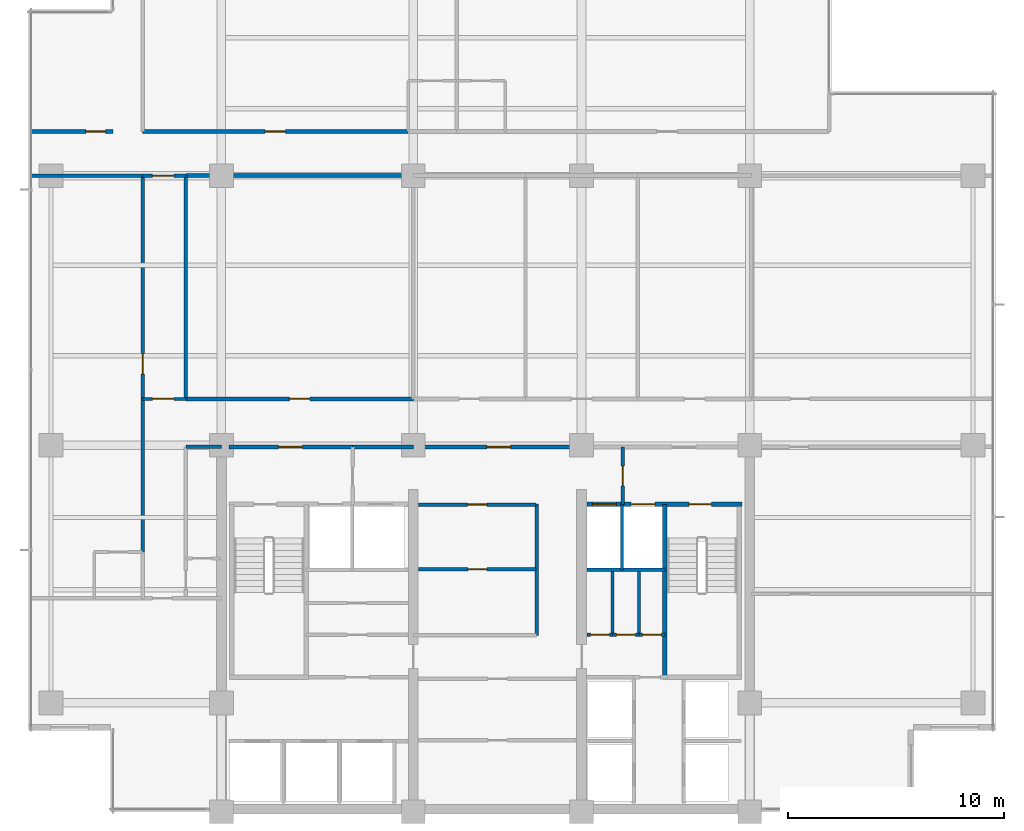
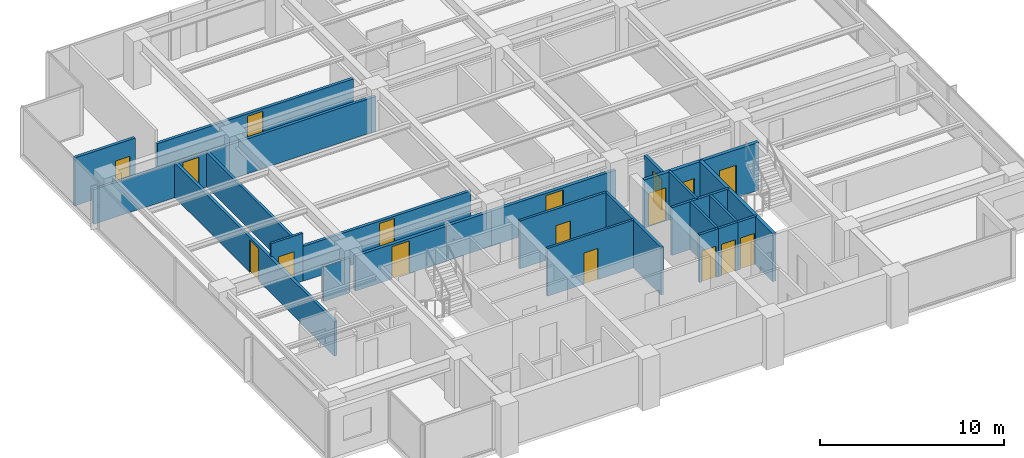
# One storey, part 8 of 14: 26 walls, 17 doors, 17 openings.
"""IFC4 building model written with IfcOpenShell, lengths in metres."""

from ifc_helpers import new_model, si_unit, direction, frame, frame_2d, origin, place, context, subcontext, project, spatial, rectangle, extrude, material, layer, layer_set, type_object, element, fill, save


model = new_model("IFC4")

# Units and contexts
model_context = context("Model", 3, precision=1e-05, world=origin(), true_north=direction((0.0, 1.0)))
body_context = subcontext(model_context, "Body", "Model", "MODEL_VIEW")
ifc_project = project(units=[si_unit("LENGTHUNIT", "METRE"), si_unit("AREAUNIT", "SQUARE_METRE"), si_unit("VOLUMEUNIT", "CUBIC_METRE"), si_unit("PLANEANGLEUNIT", "RADIAN"), si_unit("MASSUNIT", "GRAM", prefix="KILO")], contexts=[model_context])

# Site, building, storey
site_placement = place(None, origin())
site = spatial("IfcSite", under=ifc_project, at=site_placement, CompositionType="ELEMENT")
building_placement = place(site_placement, origin())
building = spatial("IfcBuilding", under=site, at=building_placement, Name="Qalmaran Belvedere Hotel", CompositionType="ELEMENT")
storey_placement = place(building_placement, frame((0.0, 0.0, 180.60009765625)))
storey = spatial("IfcBuildingStorey", under=building, at=storey_placement, Name="L46", CompositionType="ELEMENT", Elevation=180.60009765625)

# Walls
ifc_material_1 = material(Name="Gypsum Stud Partition")
ifc_layer_1 = layer(ifc_material_1, 0.14990234375, Name="Gypsum Stud Partition")
ifc_layer_set_1 = layer_set([ifc_layer_1], Name="Gypsum Stud Partition")
wall_type_1 = type_object("IfcWallType", Name="WL-INT-150-EI120", PredefinedType="PARTITIONING", material=ifc_layer_set_1)
wall_1_placement = place(storey_placement, frame((38.8798828125, 14.719970703125, 0.0), z_axis=(0.0, 0.0, 1.0), x_axis=(0.0, 1.0, 0.0)))
element("IfcWall", 1, at=wall_1_placement, inside=storey, type_object=wall_type_1, Name="L46 Partition WL-FF2M-L46", PredefinedType="PARTITIONING", context=body_context, shape_type="SweptSolid", body=[
    extrude(rectangle(XDim=3.0400390625, YDim=0.14990234375, at=frame_2d((1.52001953125, 0.0))), origin(), (0.0, 0.0, 1.0), 3.179931640625),
])
ifc_layer_2 = layer(ifc_material_1, 0.14990234375, Name="Gypsum Stud Partition")
ifc_layer_set_2 = layer_set([ifc_layer_2], Name="Gypsum Stud Partition")
wall_type_2 = type_object("IfcWallType", Name="WL-INT-150-EI60", PredefinedType="PARTITIONING", material=ifc_layer_set_2)
for number, where, z_axis, x_axis, name in (
    (2, (38.44140625, 11.719970703125, 0.0), (0.0, 0.0, 1.0), (0.0, 1.0, 0.0), "L46 Partition WL-L46-KEV1"),
    (3, (39.668701171875, 11.719970703125, 0.0), (0.0, 0.0, 1.0), (0.0, 1.0, 0.0), "L46 Partition WL-L46-KEV2"),
):
    element("IfcWall", number, at=place(storey_placement, frame(where, z_axis=z_axis, x_axis=x_axis)), inside=storey, type_object=wall_type_2, Name=name, PredefinedType="PARTITIONING", context=body_context, shape_type="SweptSolid", body=[
        extrude(rectangle(XDim=2.929931640625, YDim=0.14990234375, at=frame_2d((1.46484375, 0.0))), origin(), (0.0, 0.0, 1.0), 3.179931640625),
    ])

# Wall, opening, door
wall_2_placement = place(storey_placement, frame((29.449951171875, 14.7451171875, 0.0), z_axis=(0.0, 0.0, 1.0), x_axis=(1.0, 0.0, 0.0)))
wall_2 = element("IfcWall", 4, at=wall_2_placement, inside=storey, type_object=wall_type_2, Name="L46 Partition WL-L46-KPMHM", PredefinedType="PARTITIONING", context=body_context, shape_type="SweptSolid", body=[
    extrude(rectangle(XDim=5.429931640625, YDim=0.14990234375, at=frame_2d((2.71484375, 0.0))), origin(), (0.0, 0.0, 1.0), 3.179931640625),
])
opening_1_placement = place(wall_2_placement, frame((3.15478515625, 0.0, 0.0), z_axis=(0.0, 0.0, 1.0), x_axis=(-1.0, 0.0, 0.0)))
opening_1 = element("IfcOpeningElement", 5, at=opening_1_placement, cuts=wall_2, Name="Opening FD60B", PredefinedType="OPENING", context=body_context, shape_type="SweptSolid", body=[
    extrude(rectangle(XDim=0.8798828125, YDim=2.080078125, at=frame_2d((0.43994140625, 1.0400390625))), frame((0.0, 0.0849609375, 0.0), z_axis=(0.0, -1.0, 0.0), x_axis=(1.0, 0.0, 0.0)), (0.0, 0.0, 1.0), 0.169921875),
])
ifc_material_2 = material(Name="Steel S355JR", Category="steel")
door_type_1 = type_object("IfcDoorType", Name="DR-FD60B-880X2080", OperationType="NOTDEFINED", PredefinedType="DOOR", material=ifc_material_2)
door_1_placement = place(opening_1_placement, origin())
door_1 = element("IfcDoor", 6, at=door_1_placement, inside=storey, type_object=door_type_1, Name="L46 Executive Butler Pantry Door", OperationType="SINGLE_SWING_RIGHT", OverallHeight=2.080078125, OverallWidth=0.8798828125, PredefinedType="DOOR", context=body_context, shape_type="SweptSolid", body=[
    extrude(rectangle(XDim=0.8798828125, YDim=2.080078125, at=frame_2d((0.43994140625, 1.0400390625))), frame((0.0, 0.02490234375, 0.0), z_axis=(0.0, -1.0, 0.0), x_axis=(1.0, 0.0, 0.0)), (0.0, 0.0, 1.0), 0.050048828125),
])
fill(opening_1, door_1)

wall_3_placement = place(storey_placement, frame((16.64990234375, 22.64990234375, 0.0), z_axis=(0.0, 0.0, 1.0), x_axis=(1.0, 0.0, 0.0)))
wall_3 = element("IfcWall", 7, at=wall_3_placement, inside=storey, type_object=wall_type_2, Name="L46 Partition WL-L46-XCW1", PredefinedType="PARTITIONING", context=body_context, shape_type="SweptSolid", body=[
    extrude(rectangle(XDim=2.0, YDim=0.14990234375, at=frame_2d((1.0, 0.0))), origin(), (0.0, 0.0, 1.0), 3.179931640625),
])
opening_2_placement = place(wall_3_placement, frame((0.449951171875, 0.0, 0.0)))
opening_2 = element("IfcOpeningElement", 8, at=opening_2_placement, cuts=wall_3, Name="Opening FD90B", PredefinedType="OPENING", context=body_context, shape_type="SweptSolid", body=[
    extrude(rectangle(XDim=1.0, YDim=2.14990234375, at=frame_2d((0.5, 1.074951171875))), frame((0.0, 0.0849609375, 0.0), z_axis=(0.0, -1.0, 0.0), x_axis=(1.0, 0.0, 0.0)), (0.0, 0.0, 1.0), 0.169921875),
])
door_type_2 = type_object("IfcDoorType", Name="DR-FD90B-1000X2150", OperationType="NOTDEFINED", PredefinedType="DOOR", material=ifc_material_2)
door_2_placement = place(opening_2_placement, origin())
door_2 = element("IfcDoor", 9, at=door_2_placement, inside=storey, type_object=door_type_2, Name="L46 West Corridor Smoke Door S", OperationType="SINGLE_SWING_RIGHT", OverallHeight=2.14990234375, OverallWidth=1.0, PredefinedType="DOOR", context=body_context, shape_type="SweptSolid", body=[
    extrude(rectangle(XDim=1.0, YDim=2.14990234375, at=frame_2d((0.5, 1.074951171875))), frame((0.0, 0.02490234375, 0.0), z_axis=(0.0, -1.0, 0.0), x_axis=(1.0, 0.0, 0.0)), (0.0, 0.0, 1.0), 0.050048828125),
])
fill(opening_2, door_2)

wall_4_placement = place(storey_placement, frame((16.64990234375, 33.0, 0.0), z_axis=(0.0, 0.0, 1.0), x_axis=(1.0, 0.0, 0.0)))
wall_4 = element("IfcWall", 10, at=wall_4_placement, inside=storey, type_object=wall_type_2, Name="L46 Partition WL-L46-XCW2", PredefinedType="PARTITIONING", context=body_context, shape_type="SweptSolid", body=[
    extrude(rectangle(XDim=2.0, YDim=0.14990234375, at=frame_2d((1.0, 0.0))), origin(), (0.0, 0.0, 1.0), 2.309814453125),
])
opening_3_placement = place(wall_4_placement, frame((0.449951171875, 0.0, 0.0)))
opening_3 = element("IfcOpeningElement", 11, at=opening_3_placement, cuts=wall_4, Name="Opening FD90B", PredefinedType="OPENING", context=body_context, shape_type="SweptSolid", body=[
    extrude(rectangle(XDim=1.0, YDim=2.14990234375, at=frame_2d((0.5, 1.074951171875))), frame((0.0, 0.0849609375, 0.0), z_axis=(0.0, -1.0, 0.0), x_axis=(1.0, 0.0, 0.0)), (0.0, 0.0, 1.0), 0.169921875),
])
door_3_placement = place(opening_3_placement, origin())
door_3 = element("IfcDoor", 12, at=door_3_placement, inside=storey, type_object=door_type_2, Name="L46 West Corridor Smoke Door N", OperationType="SINGLE_SWING_LEFT", OverallHeight=2.14990234375, OverallWidth=1.0, PredefinedType="DOOR", context=body_context, shape_type="SweptSolid", body=[
    extrude(rectangle(XDim=1.0, YDim=2.14990234375, at=frame_2d((0.5, 1.074951171875))), frame((0.0, 0.02490234375, 0.0), z_axis=(0.0, -1.0, 0.0), x_axis=(1.0, 0.0, 0.0)), (0.0, 0.0, 1.0), 0.050048828125),
])
fill(opening_3, door_3)

ifc_layer_3 = layer(ifc_material_1, 0.159912109375, Name="Gypsum Stud Partition")
ifc_layer_set_3 = layer_set([ifc_layer_3], Name="Gypsum Stud Partition")
wall_type_3 = type_object("IfcWallType", Name="WL-INT-160-EI120", PredefinedType="PARTITIONING", material=ifc_layer_set_3)
wall_5_placement = place(storey_placement, frame((38.919921875, 17.760009765625, 0.0), z_axis=(0.0, 0.0, 1.0), x_axis=(0.0, 1.0, 0.0)))
wall_5 = element("IfcWall", 13, at=wall_5_placement, inside=storey, type_object=wall_type_3, Name="L46 Partition WL-FFSV2-L46", PredefinedType="PARTITIONING", context=body_context, shape_type="SweptSolid", body=[
    extrude(rectangle(XDim=2.659912109375, YDim=0.159912109375, at=frame_2d((1.330078125, 0.0))), origin(), (0.0, 0.0, 1.0), 2.621826171875),
])
opening_4_placement = place(wall_5_placement, frame((1.77001953125, 0.0, 0.0), z_axis=(0.0, 0.0, 1.0), x_axis=(-1.0, 0.0, 0.0)))
opening_4 = element("IfcOpeningElement", 14, at=opening_4_placement, cuts=wall_5, Name="Opening FD60S1", PredefinedType="OPENING", context=body_context, shape_type="SweptSolid", body=[
    extrude(rectangle(XDim=0.919921875, YDim=2.080078125, at=frame_2d((0.4599609375, 1.0400390625))), frame((0.0, 0.08984375, 0.0), z_axis=(0.0, -1.0, 0.0), x_axis=(1.0, 0.0, 0.0)), (0.0, 0.0, 1.0), 0.179931640625),
])
ifc_material_3 = material(Name="Engineered Oak Veneer")
door_type_3 = type_object("IfcDoorType", Name="DR-FD60S-920X2080", OperationType="NOTDEFINED", PredefinedType="DOOR", material=ifc_material_3)
door_4_placement = place(opening_4_placement, origin())
door_4 = element("IfcDoor", 15, at=door_4_placement, inside=storey, type_object=door_type_3, Name="L46 Service Lobby East Door", OperationType="SINGLE_SWING_RIGHT", OverallHeight=2.080078125, OverallWidth=0.919921875, PredefinedType="DOOR", context=body_context, shape_type="SweptSolid", body=[
    extrude(rectangle(XDim=0.919921875, YDim=2.080078125, at=frame_2d((0.4599609375, 1.0400390625))), frame((0.0, 0.02490234375, 0.0), z_axis=(0.0, -1.0, 0.0), x_axis=(1.0, 0.0, 0.0)), (0.0, 0.0, 1.0), 0.050048828125),
])
fill(opening_4, door_4)

# Wall
wall_6_placement = place(storey_placement, frame((37.25, 14.719970703125, 0.0), z_axis=(0.0, 0.0, 1.0), x_axis=(1.0, 0.0, 0.0)))
element("IfcWall", 16, at=wall_6_placement, inside=storey, type_object=wall_type_3, Name="L46 Partition WL-FF2S-L46", PredefinedType="PARTITIONING", context=body_context, shape_type="SweptSolid", body=[
    extrude(rectangle(XDim=3.610107421875, YDim=0.159912109375, at=frame_2d((1.80517578125, 0.0))), origin(), (0.0, 0.0, 1.0), 3.179931640625),
])

# Wall, opening, door
ifc_layer_4 = layer(ifc_material_1, 0.159912109375, Name="Gypsum Stud Partition")
ifc_layer_set_4 = layer_set([ifc_layer_4], Name="Gypsum Stud Partition")
wall_type_4 = type_object("IfcWallType", Name="WL-INT-160-EI60", PredefinedType="PARTITIONING", material=ifc_layer_set_4)
wall_7_placement = place(storey_placement, frame((37.25, 11.719970703125, 0.0), z_axis=(0.0, 0.0, 1.0), x_axis=(1.0, 0.0, 0.0)))
wall_7 = element("IfcWall", 17, at=wall_7_placement, inside=storey, type_object=wall_type_4, Name="L46 Partition WL-L46-KEE1", PredefinedType="PARTITIONING", context=body_context, shape_type="SweptSolid", body=[
    extrude(rectangle(XDim=1.19140625, YDim=0.159912109375, at=frame_2d((0.595703125, 0.0))), origin(), (0.0, 0.0, 1.0), 3.179931640625),
])
opening_5_placement = place(wall_7_placement, frame((0.155517578125, 0.0, 0.0)))
opening_5 = element("IfcOpeningElement", 18, at=opening_5_placement, cuts=wall_7, Name="Opening FD60B", PredefinedType="OPENING", context=body_context, shape_type="SweptSolid", body=[
    extrude(rectangle(XDim=0.8798828125, YDim=2.080078125, at=frame_2d((0.43994140625, 1.0400390625))), frame((0.0, 0.08984375, 0.0), z_axis=(0.0, -1.0, 0.0), x_axis=(1.0, 0.0, 0.0)), (0.0, 0.0, 1.0), 0.179931640625),
])
door_5_placement = place(opening_5_placement, origin())
door_5 = element("IfcDoor", 19, at=door_5_placement, inside=storey, type_object=door_type_1, Name="L46 Hotel Linen Closet Door", OperationType="SINGLE_SWING_RIGHT", OverallHeight=2.080078125, OverallWidth=0.8798828125, PredefinedType="DOOR", context=body_context, shape_type="SweptSolid", body=[
    extrude(rectangle(XDim=0.8798828125, YDim=2.080078125, at=frame_2d((0.43994140625, 1.0400390625))), frame((0.0, 0.02490234375, 0.0), z_axis=(0.0, -1.0, 0.0), x_axis=(1.0, 0.0, 0.0)), (0.0, 0.0, 1.0), 0.050048828125),
])
fill(opening_5, door_5)

wall_8_placement = place(storey_placement, frame((38.44140625, 11.719970703125, 0.0), z_axis=(0.0, 0.0, 1.0), x_axis=(1.0, 0.0, 0.0)))
wall_8 = element("IfcWall", 20, at=wall_8_placement, inside=storey, type_object=wall_type_4, Name="L46 Partition WL-L46-KEE2", PredefinedType="PARTITIONING", context=body_context, shape_type="SweptSolid", body=[
    extrude(rectangle(XDim=1.227294921875, YDim=0.159912109375, at=frame_2d((0.61376953125, 0.0))), origin(), (0.0, 0.0, 1.0), 3.179931640625),
])
opening_6_placement = place(wall_8_placement, frame((0.173583984375, 0.0, 0.0)))
opening_6 = element("IfcOpeningElement", 21, at=opening_6_placement, cuts=wall_8, Name="Opening FD60B", PredefinedType="OPENING", context=body_context, shape_type="SweptSolid", body=[
    extrude(rectangle(XDim=0.8798828125, YDim=2.080078125, at=frame_2d((0.43994140625, 1.0400390625))), frame((0.0, 0.08984375, 0.0), z_axis=(0.0, -1.0, 0.0), x_axis=(1.0, 0.0, 0.0)), (0.0, 0.0, 1.0), 0.179931640625),
])
door_6_placement = place(opening_6_placement, origin())
door_6 = element("IfcDoor", 22, at=door_6_placement, inside=storey, type_object=door_type_1, Name="L46 Guest Ice and Beverage Pantry Door", OperationType="SINGLE_SWING_LEFT", OverallHeight=2.080078125, OverallWidth=0.8798828125, PredefinedType="DOOR", context=body_context, shape_type="SweptSolid", body=[
    extrude(rectangle(XDim=0.8798828125, YDim=2.080078125, at=frame_2d((0.43994140625, 1.0400390625))), frame((0.0, 0.02490234375, 0.0), z_axis=(0.0, -1.0, 0.0), x_axis=(1.0, 0.0, 0.0)), (0.0, 0.0, 1.0), 0.050048828125),
])
fill(opening_6, door_6)

wall_9_placement = place(storey_placement, frame((39.668701171875, 11.719970703125, 0.0), z_axis=(0.0, 0.0, 1.0), x_axis=(1.0, 0.0, 0.0)))
wall_9 = element("IfcWall", 23, at=wall_9_placement, inside=storey, type_object=wall_type_4, Name="L46 Partition WL-L46-KEE3", PredefinedType="PARTITIONING", context=body_context, shape_type="SweptSolid", body=[
    extrude(rectangle(XDim=1.19140625, YDim=0.159912109375, at=frame_2d((0.595703125, 0.0))), origin(), (0.0, 0.0, 1.0), 3.179931640625),
])
opening_7_placement = place(wall_9_placement, frame((0.155517578125, 0.0, 0.0)))
opening_7 = element("IfcOpeningElement", 24, at=opening_7_placement, cuts=wall_9, Name="Opening FD60B", PredefinedType="OPENING", context=body_context, shape_type="SweptSolid", body=[
    extrude(rectangle(XDim=0.8798828125, YDim=2.080078125, at=frame_2d((0.43994140625, 1.0400390625))), frame((0.0, 0.08984375, 0.0), z_axis=(0.0, -1.0, 0.0), x_axis=(1.0, 0.0, 0.0)), (0.0, 0.0, 1.0), 0.179931640625),
])
door_7_placement = place(opening_7_placement, origin())
door_7 = element("IfcDoor", 25, at=door_7_placement, inside=storey, type_object=door_type_1, Name="L46 Cleaner Equipment Store Door", OperationType="SINGLE_SWING_RIGHT", OverallHeight=2.080078125, OverallWidth=0.8798828125, PredefinedType="DOOR", context=body_context, shape_type="SweptSolid", body=[
    extrude(rectangle(XDim=0.8798828125, YDim=2.080078125, at=frame_2d((0.43994140625, 1.0400390625))), frame((0.0, 0.02490234375, 0.0), z_axis=(0.0, -1.0, 0.0), x_axis=(1.0, 0.0, 0.0)), (0.0, 0.0, 1.0), 0.050048828125),
])
fill(opening_7, door_7)

# Wall
wall_10_placement = place(storey_placement, frame((34.919921875, 11.679931640625, 0.0), z_axis=(0.0, 0.0, 1.0), x_axis=(0.0, 1.0, 0.0)))
element("IfcWall", 26, at=wall_10_placement, inside=storey, type_object=wall_type_4, Name="L46 Partition WL-CLLV-L46", PredefinedType="PARTITIONING", context=body_context, shape_type="SweptSolid", body=[
    extrude(rectangle(XDim=6.10009765625, YDim=0.159912109375, at=frame_2d((3.050048828125, 0.0))), origin(), (0.0, 0.0, 1.0), 3.179931640625),
])

# Wall, opening, door
wall_11_placement = place(storey_placement, frame((29.449951171875, 17.75, 0.0), z_axis=(0.0, 0.0, 1.0), x_axis=(1.0, 0.0, 0.0)))
wall_11 = element("IfcWall", 27, at=wall_11_placement, inside=storey, type_object=wall_type_4, Name="L46 Partition WL-L46-KPME1", PredefinedType="PARTITIONING", context=body_context, shape_type="SweptSolid", body=[
    extrude(rectangle(XDim=5.429931640625, YDim=0.159912109375, at=frame_2d((2.71484375, 0.0))), origin(), (0.0, 0.0, 1.0), 3.179931640625),
])
opening_8_placement = place(wall_11_placement, frame((3.1748046875, 0.0, 0.0), z_axis=(0.0, 0.0, 1.0), x_axis=(-1.0, 0.0, 0.0)))
opening_8 = element("IfcOpeningElement", 28, at=opening_8_placement, cuts=wall_11, Name="Opening FD60S1", PredefinedType="OPENING", context=body_context, shape_type="SweptSolid", body=[
    extrude(rectangle(XDim=0.919921875, YDim=2.080078125, at=frame_2d((0.4599609375, 1.0400390625))), frame((0.0, 0.08984375, 0.0), z_axis=(0.0, -1.0, 0.0), x_axis=(1.0, 0.0, 0.0)), (0.0, 0.0, 1.0), 0.179931640625),
])
door_8_placement = place(opening_8_placement, origin())
door_8 = element("IfcDoor", 29, at=door_8_placement, inside=storey, type_object=door_type_3, Name="L46 Core Tableware Store Door", OperationType="SINGLE_SWING_LEFT", OverallHeight=2.080078125, OverallWidth=0.919921875, PredefinedType="DOOR", context=body_context, shape_type="SweptSolid", body=[
    extrude(rectangle(XDim=0.919921875, YDim=2.080078125, at=frame_2d((0.4599609375, 1.0400390625))), frame((0.0, 0.02490234375, 0.0), z_axis=(0.0, -1.0, 0.0), x_axis=(1.0, 0.0, 0.0)), (0.0, 0.0, 1.0), 0.050048828125),
])
fill(opening_8, door_8)

# Walls
wall_12_placement = place(storey_placement, frame((18.64990234375, 20.419921875, 0.0), z_axis=(0.0, 0.0, 1.0), x_axis=(1.0, 0.0, 0.0)))
element("IfcWall", 30, at=wall_12_placement, inside=storey, type_object=wall_type_4, Name="L46 Partition WL-L46-WCLN", PredefinedType="PARTITIONING", context=body_context, shape_type="SweptSolid", body=[
    extrude(rectangle(XDim=1.650146484375, YDim=0.159912109375, at=frame_2d((0.8251953125, 0.0))), origin(), (0.0, 0.0, 1.0), 2.309814453125),
])
wall_13_placement = place(storey_placement, frame((18.64990234375, 22.64990234375, 0.0), z_axis=(0.0, 0.0, 1.0), x_axis=(0.0, 1.0, 0.0)))
element("IfcWall", 31, at=wall_13_placement, inside=storey, type_object=wall_type_4, Name="L46 Partition WL-L46-MIDVL", PredefinedType="PARTITIONING", context=body_context, shape_type="SweptSolid", body=[
    extrude(rectangle(XDim=10.35009765625, YDim=0.159912109375, at=frame_2d((5.175048828125, 0.0))), origin(), (0.0, 0.0, 1.0), 2.309814453125),
])
wall_14_placement = place(storey_placement, frame((11.469970703125, 33.0, 0.0), z_axis=(0.0, 0.0, 1.0), x_axis=(1.0, 0.0, 0.0)))
element("IfcWall", 32, at=wall_14_placement, inside=storey, type_object=wall_type_4, Name="L46 Partition WL-L46-WU00", PredefinedType="PARTITIONING", context=body_context, shape_type="SweptSolid", body=[
    extrude(rectangle(XDim=5.179931640625, YDim=0.159912109375, at=frame_2d((2.58984375, 0.0))), origin(), (0.0, 0.0, 1.0), 2.309814453125),
])

# Wall, opening, door
ifc_layer_5 = layer(ifc_material_1, 0.179931640625, Name="Gypsum Stud Partition")
ifc_layer_set_5 = layer_set([ifc_layer_5], Name="Gypsum Stud Partition")
wall_type_5 = type_object("IfcWallType", Name="WL-INT-180-EI60", PredefinedType="PARTITIONING", material=ifc_layer_set_5)
wall_15_placement = place(storey_placement, frame((18.64990234375, 22.64990234375, 0.0), z_axis=(0.0, 0.0, 1.0), x_axis=(1.0, 0.0, 0.0)))
wall_15 = element("IfcWall", 33, at=wall_15_placement, inside=storey, type_object=wall_type_5, Name="L46 Partition WL-L46-MIDD1", PredefinedType="PARTITIONING", context=body_context, shape_type="SweptSolid", body=[
    extrude(rectangle(XDim=10.550048828125, YDim=0.179931640625, at=frame_2d((5.27490234375, 0.0))), origin(), (0.0, 0.0, 1.0), 2.309814453125),
])
opening_9_placement = place(wall_15_placement, frame((4.800048828125, 0.0, 0.0)))
opening_9 = element("IfcOpeningElement", 34, at=opening_9_placement, cuts=wall_15, Name="Opening FD60", PredefinedType="OPENING", context=body_context, shape_type="SweptSolid", body=[
    extrude(rectangle(XDim=0.949951171875, YDim=2.14990234375, at=frame_2d((0.47509765625, 1.074951171875))), frame((0.0, 0.10009765625, 0.0), z_axis=(0.0, -1.0, 0.0), x_axis=(1.0, 0.0, 0.0)), (0.0, 0.0, 1.0), 0.199951171875),
])
door_type_4 = type_object("IfcDoorType", Name="DR-FD60-950X2150", OperationType="NOTDEFINED", PredefinedType="DOOR", material=ifc_material_3)
door_9_placement = place(opening_9_placement, origin())
door_9 = element("IfcDoor", 35, at=door_9_placement, inside=storey, type_object=door_type_4, Name="L46 Housekeeping and Linen Room Door", OperationType="SINGLE_SWING_RIGHT", OverallHeight=2.14990234375, OverallWidth=0.949951171875, PredefinedType="DOOR", context=body_context, shape_type="SweptSolid", body=[
    extrude(rectangle(XDim=0.949951171875, YDim=2.14990234375, at=frame_2d((0.47509765625, 1.074951171875))), frame((0.0, 0.02490234375, 0.0), z_axis=(0.0, -1.0, 0.0), x_axis=(1.0, 0.0, 0.0)), (0.0, 0.0, 1.0), 0.050048828125),
])
fill(opening_9, door_9)

# Wall
wall_16_placement = place(storey_placement, frame((18.64990234375, 33.0, 0.0), z_axis=(0.0, 0.0, 1.0), x_axis=(1.0, 0.0, 0.0)))
element("IfcWall", 36, at=wall_16_placement, inside=storey, type_object=wall_type_5, Name="L46 Partition WL-L46-MIDO1", PredefinedType="PARTITIONING", context=body_context, shape_type="SweptSolid", body=[
    extrude(rectangle(XDim=10.550048828125, YDim=0.179931640625, at=frame_2d((5.27490234375, 0.0))), origin(), (0.0, 0.0, 1.0), 2.309814453125),
])

# Wall, opening, door
wall_17_placement = place(storey_placement, frame((16.64990234375, 35.050048828125, 0.0), z_axis=(0.0, 0.0, 1.0), x_axis=(1.0, 0.0, 0.0)))
wall_17 = element("IfcWall", 37, at=wall_17_placement, inside=storey, type_object=wall_type_5, Name="L46 Partition WL-L46-NEC00", PredefinedType="PARTITIONING", context=body_context, shape_type="SweptSolid", body=[
    extrude(rectangle(XDim=12.310791015625, YDim=0.179931640625, at=frame_2d((6.1552734375, 0.0))), origin(), (0.0, 0.0, 1.0), 2.309814453125),
])
opening_10_placement = place(wall_17_placement, frame((5.680419921875, 0.0, 0.0)))
opening_10 = element("IfcOpeningElement", 38, at=opening_10_placement, cuts=wall_17, Name="Opening FD60", PredefinedType="OPENING", context=body_context, shape_type="SweptSolid", body=[
    extrude(rectangle(XDim=0.949951171875, YDim=2.14990234375, at=frame_2d((0.47509765625, 1.074951171875))), frame((0.0, 0.10009765625, 0.0), z_axis=(0.0, -1.0, 0.0), x_axis=(1.0, 0.0, 0.0)), (0.0, 0.0, 1.0), 0.199951171875),
])
door_10_placement = place(opening_10_placement, origin())
door_10 = element("IfcDoor", 39, at=door_10_placement, inside=storey, type_object=door_type_4, Name="L46 Guest Entrance Door N01", OperationType="SINGLE_SWING_LEFT", OverallHeight=2.14990234375, OverallWidth=0.949951171875, PredefinedType="DOOR", context=body_context, shape_type="SweptSolid", body=[
    extrude(rectangle(XDim=0.949951171875, YDim=2.14990234375, at=frame_2d((0.47509765625, 1.074951171875))), frame((0.0, 0.02490234375, 0.0), z_axis=(0.0, -1.0, 0.0), x_axis=(1.0, 0.0, 0.0)), (0.0, 0.0, 1.0), 0.050048828125),
])
fill(opening_10, door_10)

wall_18_placement = place(storey_placement, frame((16.64990234375, 15.550048828125, 0.0), z_axis=(0.0, 0.0, 1.0), x_axis=(0.0, 1.0, 0.0)))
wall_18 = element("IfcWall", 40, at=wall_18_placement, inside=storey, type_object=wall_type_5, Name="L46 Partition WL-L46-WEC00", PredefinedType="PARTITIONING", context=body_context, shape_type="SweptSolid", body=[
    extrude(rectangle(XDim=17.449951171875, YDim=0.179931640625, at=frame_2d((8.72509765625, 0.0))), origin(), (0.0, 0.0, 1.0), 2.309814453125),
])
opening_11_placement = place(wall_18_placement, frame((8.25, 0.0, 0.0)))
opening_11 = element("IfcOpeningElement", 41, at=opening_11_placement, cuts=wall_18, Name="Opening FD60", PredefinedType="OPENING", context=body_context, shape_type="SweptSolid", body=[
    extrude(rectangle(XDim=0.949951171875, YDim=2.14990234375, at=frame_2d((0.47509765625, 1.074951171875))), frame((0.0, 0.10009765625, 0.0), z_axis=(0.0, -1.0, 0.0), x_axis=(1.0, 0.0, 0.0)), (0.0, 0.0, 1.0), 0.199951171875),
])
door_11_placement = place(opening_11_placement, origin())
door_11 = element("IfcDoor", 42, at=door_11_placement, inside=storey, type_object=door_type_4, Name="L46 W Wing Door 01", OperationType="SINGLE_SWING_LEFT", OverallHeight=2.14990234375, OverallWidth=0.949951171875, PredefinedType="DOOR", context=body_context, shape_type="SweptSolid", body=[
    extrude(rectangle(XDim=0.949951171875, YDim=2.14990234375, at=frame_2d((0.47509765625, 1.074951171875))), frame((0.0, 0.02490234375, 0.0), z_axis=(0.0, -1.0, 0.0), x_axis=(1.0, 0.0, 0.0)), (0.0, 0.0, 1.0), 0.050048828125),
])
fill(opening_11, door_11)

wall_19_placement = place(storey_placement, frame((11.469970703125, 35.050048828125, 0.0), z_axis=(0.0, 0.0, 1.0), x_axis=(1.0, 0.0, 0.0)))
wall_19 = element("IfcWall", 43, at=wall_19_placement, inside=storey, type_object=wall_type_5, Name="L46 Partition WL-L46-NWSD", PredefinedType="PARTITIONING", context=body_context, shape_type="SweptSolid", body=[
    extrude(rectangle(XDim=3.800048828125, YDim=0.179931640625, at=frame_2d((1.89990234375, 0.0))), origin(), (0.0, 0.0, 1.0), 3.179931640625),
])
opening_12_placement = place(wall_19_placement, frame((2.543701171875, 0.0, 0.0)))
opening_12 = element("IfcOpeningElement", 44, at=opening_12_placement, cuts=wall_19, Name="Opening FD60S1", PredefinedType="OPENING", context=body_context, shape_type="SweptSolid", body=[
    extrude(rectangle(XDim=0.919921875, YDim=2.080078125, at=frame_2d((0.4599609375, 1.0400390625))), frame((0.0, 0.10009765625, 0.0), z_axis=(0.0, -1.0, 0.0), x_axis=(1.0, 0.0, 0.0)), (0.0, 0.0, 1.0), 0.199951171875),
])
door_12_placement = place(opening_12_placement, origin())
door_12 = element("IfcDoor", 45, at=door_12_placement, inside=storey, type_object=door_type_3, Name="L46 NW Belvedere Study Door", OperationType="SINGLE_SWING_RIGHT", OverallHeight=2.080078125, OverallWidth=0.919921875, PredefinedType="DOOR", context=body_context, shape_type="SweptSolid", body=[
    extrude(rectangle(XDim=0.919921875, YDim=2.080078125, at=frame_2d((0.4599609375, 1.0400390625))), frame((0.0, 0.02490234375, 0.0), z_axis=(0.0, -1.0, 0.0), x_axis=(1.0, 0.0, 0.0)), (0.0, 0.0, 1.0), 0.050048828125),
])
fill(opening_12, door_12)

ifc_material_4 = material(Name="Concrete C30/37 Blockwork", Category="masonry")
ifc_layer_6 = layer(ifc_material_4, 0.199951171875, Name="Concrete C30/37 Blockwork")
ifc_layer_set_6 = layer_set([ifc_layer_6], Name="Concrete C30/37 Blockwork")
wall_type_6 = type_object("IfcWallType", Name="WL-INT-200-EI120", PredefinedType="PARTITIONING", material=ifc_layer_set_6)
wall_20_placement = place(storey_placement, frame((20.64990234375, 20.419921875, 0.0), z_axis=(0.0, 0.0, 1.0), x_axis=(1.0, 0.0, 0.0)))
wall_20 = element("IfcWall", 46, at=wall_20_placement, inside=storey, type_object=wall_type_6, Name="L46 Partition WL-CN1A-L46", PredefinedType="PARTITIONING", context=body_context, shape_type="SweptSolid", body=[
    extrude(rectangle(XDim=5.72998046875, YDim=0.199951171875, at=frame_2d((2.864990234375, 0.0))), origin(), (0.0, 0.0, 1.0), 2.309814453125),
])
opening_13_placement = place(wall_20_placement, frame((2.300048828125, 0.0, 0.0)))
opening_13 = element("IfcOpeningElement", 47, at=opening_13_placement, cuts=wall_20, Name="Opening FD90", PredefinedType="OPENING", context=body_context, shape_type="SweptSolid", body=[
    extrude(rectangle(XDim=1.10009765625, YDim=2.14990234375, at=frame_2d((0.550048828125, 1.074951171875))), frame((0.0, 0.10986328125, 0.0), z_axis=(0.0, -1.0, 0.0), x_axis=(1.0, 0.0, 0.0)), (0.0, 0.0, 1.0), 0.219970703125),
])
door_type_5 = type_object("IfcDoorType", Name="DR-FD90-1100X2150", OperationType="NOTDEFINED", PredefinedType="DOOR", material=ifc_material_2)
door_13_placement = place(opening_13_placement, origin())
door_13 = element("IfcDoor", 48, at=door_13_placement, inside=storey, type_object=door_type_5, Name="L46 FF1 Lobby Corridor Door", OperationType="SINGLE_SWING_LEFT", OverallHeight=2.14990234375, OverallWidth=1.10009765625, PredefinedType="DOOR", context=body_context, shape_type="SweptSolid", body=[
    extrude(rectangle(XDim=1.10009765625, YDim=2.14990234375, at=frame_2d((0.550048828125, 1.074951171875))), frame((0.0, 0.02490234375, 0.0), z_axis=(0.0, -1.0, 0.0), x_axis=(1.0, 0.0, 0.0)), (0.0, 0.0, 1.0), 0.050048828125),
])
fill(opening_13, door_13)

# Wall
wall_21_placement = place(storey_placement, frame((26.3798828125, 20.419921875, 0.0), z_axis=(0.0, 0.0, 1.0), x_axis=(1.0, 0.0, 0.0)))
element("IfcWall", 49, at=wall_21_placement, inside=storey, type_object=wall_type_6, Name="L46 Partition WL-CN1B-L46", PredefinedType="PARTITIONING", context=body_context, shape_type="SweptSolid", body=[
    extrude(rectangle(XDim=2.820068359375, YDim=0.199951171875, at=frame_2d((1.41015625, 0.0))), origin(), (0.0, 0.0, 1.0), 2.309814453125),
])

# Wall, opening, door
wall_22_placement = place(storey_placement, frame((29.199951171875, 20.419921875, 0.0), z_axis=(0.0, 0.0, 1.0), x_axis=(1.0, 0.0, 0.0)))
wall_22 = element("IfcWall", 50, at=wall_22_placement, inside=storey, type_object=wall_type_6, Name="L46 Partition WL-CN2-L46", PredefinedType="PARTITIONING", context=body_context, shape_type="SweptSolid", body=[
    extrude(rectangle(XDim=7.800048828125, YDim=0.199951171875, at=frame_2d((3.89990234375, 0.0))), origin(), (0.0, 0.0, 1.0), 2.309814453125),
])
opening_14_placement = place(wall_22_placement, frame((3.4091796875, 0.0, 0.0)))
opening_14 = element("IfcOpeningElement", 51, at=opening_14_placement, cuts=wall_22, Name="Opening FD90", PredefinedType="OPENING", context=body_context, shape_type="SweptSolid", body=[
    extrude(rectangle(XDim=1.10009765625, YDim=2.14990234375, at=frame_2d((0.550048828125, 1.074951171875))), frame((0.0, 0.10986328125, 0.0), z_axis=(0.0, -1.0, 0.0), x_axis=(1.0, 0.0, 0.0)), (0.0, 0.0, 1.0), 0.219970703125),
])
door_14_placement = place(opening_14_placement, origin())
door_14 = element("IfcDoor", 52, at=door_14_placement, inside=storey, type_object=door_type_5, Name="L46 Central Lift Lobby Door", OperationType="SINGLE_SWING_RIGHT", OverallHeight=2.14990234375, OverallWidth=1.10009765625, PredefinedType="DOOR", context=body_context, shape_type="SweptSolid", body=[
    extrude(rectangle(XDim=1.10009765625, YDim=2.14990234375, at=frame_2d((0.550048828125, 1.074951171875))), frame((0.0, 0.02490234375, 0.0), z_axis=(0.0, -1.0, 0.0), x_axis=(1.0, 0.0, 0.0)), (0.0, 0.0, 1.0), 0.050048828125),
])
fill(opening_14, door_14)

# Wall
ifc_material_5 = material(Name="Concrete C50/60", Category="concrete")
ifc_layer_7 = layer(ifc_material_5, 0.2099609375, Name="Concrete C50/60")
ifc_layer_set_7 = layer_set([ifc_layer_7], Name="Concrete C50/60")
wall_type_7 = type_object("IfcWallType", Name="WL-STAIR-210-C50", PredefinedType="SHEAR", material=ifc_layer_set_7)
wall_23_placement = place(storey_placement, frame((40.85498046875, 9.7451171875, 0.0), z_axis=(0.0, 0.0, 1.0), x_axis=(0.0, 1.0, 0.0)))
element("IfcWall", 53, at=wall_23_placement, inside=storey, type_object=wall_type_7, Name="L46 Stair ST-2 West Bearing Wall", PredefinedType="SHEAR", context=body_context, shape_type="SweptSolid", body=[
    extrude(rectangle(XDim=8.009765625, YDim=0.2099609375, at=frame_2d((4.0048828125, 0.0))), origin(), (0.0, 0.0, 1.0), 3.179931640625),
])

# Wall, openings, doors
wall_24_placement = place(storey_placement, frame((37.25, 17.7548828125, 0.0), z_axis=(0.0, 0.0, 1.0), x_axis=(1.0, 0.0, 0.0)))
wall_24 = element("IfcWall", 54, at=wall_24_placement, inside=storey, type_object=wall_type_7, Name="L46 East Lobby and Stair ST-2 North Bearing Wall", PredefinedType="SHEAR", context=body_context, shape_type="SweptSolid", body=[
    extrude(rectangle(XDim=7.199951171875, YDim=0.2099609375, at=frame_2d((3.60009765625, 0.0))), origin(), (0.0, 0.0, 1.0), 3.179931640625),
])
opening_15_placement = place(wall_24_placement, frame((0.25, 0.0, 0.0)))
opening_15 = element("IfcOpeningElement", 55, at=opening_15_placement, cuts=wall_24, Name="Opening LD-SV", PredefinedType="OPENING", context=body_context, shape_type="SweptSolid", body=[
    extrude(rectangle(XDim=1.1201171875, YDim=2.199951171875, at=frame_2d((0.56005859375, 1.10009765625))), frame((0.0, 0.114990234375, 0.0), z_axis=(0.0, -1.0, 0.0), x_axis=(1.0, 0.0, 0.0)), (0.0, 0.0, 1.0), 0.22998046875),
])
opening_16_placement = place(wall_24_placement, frame((2.050048828125, 0.0, 0.0)))
opening_16 = element("IfcOpeningElement", 56, at=opening_16_placement, cuts=wall_24, Name="Opening LD-FF", PredefinedType="OPENING", context=body_context, shape_type="SweptSolid", body=[
    extrude(rectangle(XDim=1.10009765625, YDim=2.179931640625, at=frame_2d((0.550048828125, 1.08984375))), frame((0.0, 0.114990234375, 0.0), z_axis=(0.0, -1.0, 0.0), x_axis=(1.0, 0.0, 0.0)), (0.0, 0.0, 1.0), 0.22998046875),
])
opening_17_placement = place(wall_24_placement, frame((5.780029296875, 0.0, 0.0), z_axis=(0.0, 0.0, 1.0), x_axis=(-1.0, 0.0, 0.0)))
opening_17 = element("IfcOpeningElement", 57, at=opening_17_placement, cuts=wall_24, Name="Opening FD90S2", PredefinedType="OPENING", context=body_context, shape_type="SweptSolid", body=[
    extrude(rectangle(XDim=1.050048828125, YDim=2.14990234375, at=frame_2d((0.52490234375, 1.074951171875))), frame((0.0, 0.114990234375, 0.0), z_axis=(0.0, -1.0, 0.0), x_axis=(1.0, 0.0, 0.0)), (0.0, 0.0, 1.0), 0.22998046875),
])
door_type_6 = type_object("IfcDoorType", Name="DR-FD90S-1050X2150", OperationType="NOTDEFINED", PredefinedType="DOOR", material=ifc_material_2)
door_15_placement = place(opening_17_placement, origin())
door_15 = element("IfcDoor", 58, at=door_15_placement, inside=storey, type_object=door_type_6, Name="L46 Stair ST-2 Door", OperationType="SINGLE_SWING_RIGHT", OverallHeight=2.14990234375, OverallWidth=1.050048828125, PredefinedType="DOOR", context=body_context, shape_type="SweptSolid", body=[
    extrude(rectangle(XDim=1.050048828125, YDim=2.14990234375, at=frame_2d((0.52490234375, 1.074951171875))), frame((0.0, 0.02490234375, 0.0), z_axis=(0.0, -1.0, 0.0), x_axis=(1.0, 0.0, 0.0)), (0.0, 0.0, 1.0), 0.050048828125),
])
fill(opening_17, door_15)
ifc_material_6 = material(Name="Stainless Steel 1.4401", Category="steel")
door_type_7 = type_object("IfcDoorType", Name="DR-LIFT-FF-1100X2180", OperationType="DOUBLE_DOOR_SLIDING", PredefinedType="DOOR", material=ifc_material_6)
door_16_placement = place(opening_16_placement, origin())
door_16 = element("IfcDoor", 59, at=door_16_placement, inside=storey, type_object=door_type_7, Name="L46 FF2 Lift Landing Door", OperationType="DOUBLE_DOOR_SLIDING", OverallHeight=2.179931640625, OverallWidth=1.10009765625, PredefinedType="DOOR", context=body_context, shape_type="SweptSolid", body=[
    extrude(rectangle(XDim=1.10009765625, YDim=2.179931640625, at=frame_2d((0.550048828125, 1.08984375))), frame((0.0, 0.02490234375, 0.0), z_axis=(0.0, -1.0, 0.0), x_axis=(1.0, 0.0, 0.0)), (0.0, 0.0, 1.0), 0.050048828125),
])
fill(opening_16, door_16)
door_type_8 = type_object("IfcDoorType", Name="DR-LIFT-SV-1120X2200", OperationType="DOUBLE_DOOR_SLIDING", PredefinedType="DOOR", material=ifc_material_6)
door_17_placement = place(opening_15_placement, origin())
door_17 = element("IfcDoor", 60, at=door_17_placement, inside=storey, type_object=door_type_8, Name="L46 SV2 Lift Landing Door", OperationType="DOUBLE_DOOR_SLIDING", OverallHeight=2.199951171875, OverallWidth=1.1201171875, PredefinedType="DOOR", context=body_context, shape_type="SweptSolid", body=[
    extrude(rectangle(XDim=1.1201171875, YDim=2.199951171875, at=frame_2d((0.56005859375, 1.10009765625))), frame((0.0, 0.02490234375, 0.0), z_axis=(0.0, -1.0, 0.0), x_axis=(1.0, 0.0, 0.0)), (0.0, 0.0, 1.0), 0.050048828125),
])
fill(opening_15, door_17)

save(model, "model.ifc")
